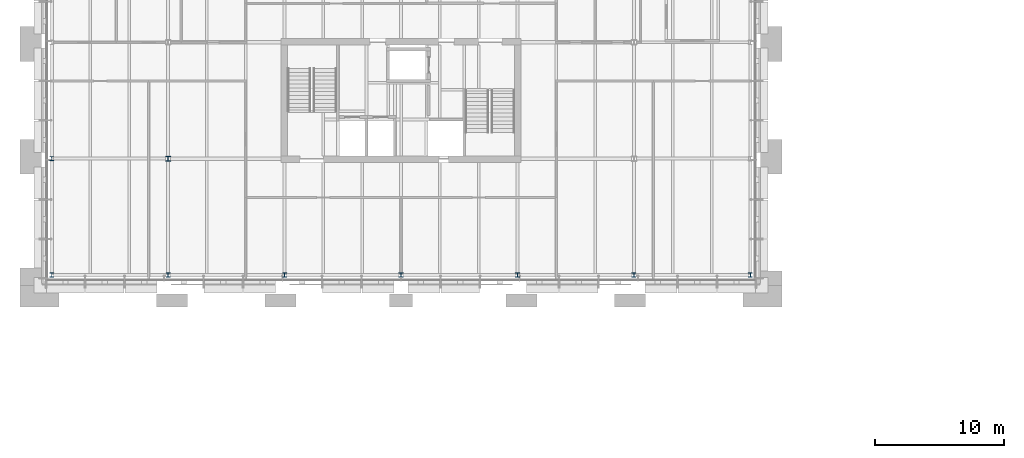
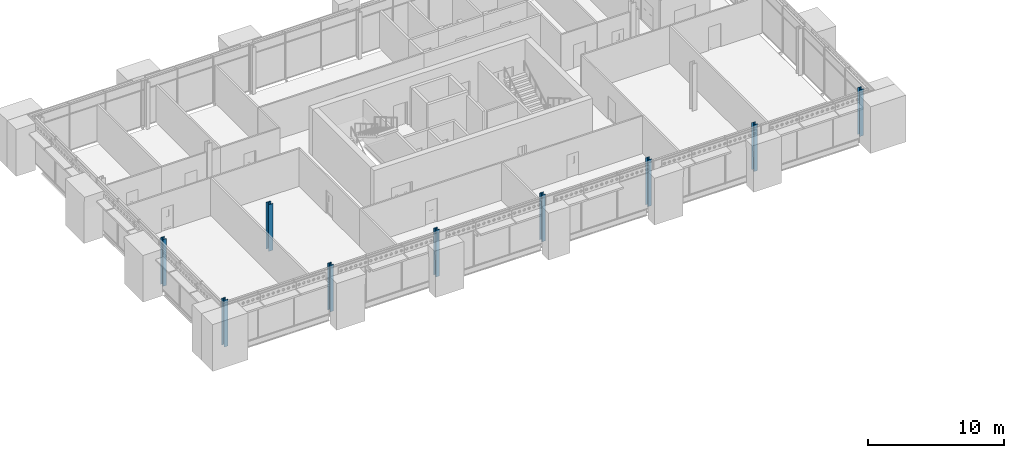
# One storey, part 7 of 37: 9 columns.
"""IFC4 building model written with IfcOpenShell, lengths in metres."""

from ifc_helpers import new_model, si_unit, direction, frame, origin, origin_2d, place, context, subcontext, project, spatial, i_section, extrude, material, material_profile, profile_set, type_object, element, save


model = new_model("IFC4")

# Units and contexts
model_context = context("Model", 3, precision=1e-05, world=origin(), true_north=direction((0.0, 1.0)))
body_context = subcontext(model_context, "Body", "Model", "MODEL_VIEW")
ifc_project = project(units=[si_unit("LENGTHUNIT", "METRE"), si_unit("AREAUNIT", "SQUARE_METRE"), si_unit("VOLUMEUNIT", "CUBIC_METRE"), si_unit("PLANEANGLEUNIT", "RADIAN"), si_unit("MASSUNIT", "GRAM", prefix="KILO")], contexts=[model_context])

# Site, building, storey
site_placement = place(None, origin())
site = spatial("IfcSite", under=ifc_project, at=site_placement, CompositionType="ELEMENT")
building_placement = place(site_placement, origin())
building = spatial("IfcBuilding", under=site, at=building_placement, Name="Baradari Gate Terminus", CompositionType="ELEMENT")
storey_placement = place(building_placement, frame((0.0, 0.0, 24.300048828125)))
storey = spatial("IfcBuildingStorey", under=building, at=storey_placement, Name="L05", CompositionType="ELEMENT", Elevation=24.300048828125)

# Columns
ifc_material_1 = material(Name="Steel S355", Category="steel")
ifc_material_profile_1 = material_profile(ifc_material_1, i_section(OverallWidth=0.394775390625, OverallDepth=0.381103515625, WebThickness=0.018310546875, FlangeThickness=0.0302734375, FilletRadius=0.01513671875, at=origin_2d()), Name="UC 356x406x235")
ifc_profile_set_1 = profile_set([ifc_material_profile_1], Name="Steel S355")
column_type_1 = type_object("IfcColumnType", Name="Operations block column C21 UC 356x406x235", PredefinedType="COLUMN", material=ifc_profile_set_1)
column_placement = place(storey_placement, frame((18.0, 126.0, 0.0), z_axis=(0.0, 0.0, 1.0), x_axis=(1.0, 0.0, 0.0)))
element("IfcColumn", 1, at=column_placement, inside=storey, type_object=column_type_1, Name="C21 column 3-Q L05", PredefinedType="COLUMN", context=body_context, shape_type="SweptSolid", body=[
    extrude(i_section(OverallWidth=0.394775390625, OverallDepth=0.381103515625, WebThickness=0.018310546875, FlangeThickness=0.0302734375, FilletRadius=0.01513671875, at=origin_2d()), origin(), (0.0, 0.0, 1.0), 4.199951171875),
])
ifc_material_2 = material(Name="Steel S355", Category="steel")
ifc_material_profile_2 = material_profile(ifc_material_2, i_section(OverallWidth=0.314453125, OverallDepth=0.33984375, WebThickness=0.01904296875, FlangeThickness=0.031494140625, FilletRadius=0.01513671875, at=origin_2d()), Name="UC 305x305x198")
ifc_profile_set_2 = profile_set([ifc_material_profile_2], Name="Steel S355")
column_type_2 = type_object("IfcColumnType", Name="Operations block perimeter column C20 UC 305x305x198", PredefinedType="COLUMN", material=ifc_profile_set_2)
for number, where, z_axis, x_axis, name in (
    (2, (9.0, 117.0, 0.0), (0.0, 0.0, 1.0), (1.0, 0.0, 0.0), "C20 column 2-P L05"),
    (3, (9.0, 126.0, 0.0), (0.0, 0.0, 1.0), (1.0, 0.0, 0.0), "C20 column 2-Q L05"),
    (4, (18.0, 117.0, 0.0), (0.0, 0.0, 1.0), (1.0, 0.0, 0.0), "C20 column 3-P L05"),
    (5, (27.0, 117.0, 0.0), (0.0, 0.0, 1.0), (1.0, 0.0, 0.0), "C20 column 4-P L05"),
    (6, (36.0, 117.0, 0.0), (0.0, 0.0, 1.0), (1.0, 0.0, 0.0), "C20 column 5-P L05"),
    (7, (45.0, 117.0, 0.0), (0.0, 0.0, 1.0), (1.0, 0.0, 0.0), "C20 column 6-P L05"),
    (8, (54.0, 117.0, 0.0), (0.0, 0.0, 1.0), (1.0, 0.0, 0.0), "C20 column 7-P L05"),
    (9, (63.0, 117.0, 0.0), (0.0, 0.0, 1.0), (1.0, 0.0, 0.0), "C20 column 8-P L05"),
):
    element("IfcColumn", number, at=place(storey_placement, frame(where, z_axis=z_axis, x_axis=x_axis)), inside=storey, type_object=column_type_2, Name=name, PredefinedType="COLUMN", context=body_context, shape_type="SweptSolid", body=[
        extrude(i_section(OverallWidth=0.314453125, OverallDepth=0.33984375, WebThickness=0.01904296875, FlangeThickness=0.031494140625, FilletRadius=0.01513671875, at=origin_2d()), origin(), (0.0, 0.0, 1.0), 4.199951171875),
    ])

save(model, "model.ifc")
